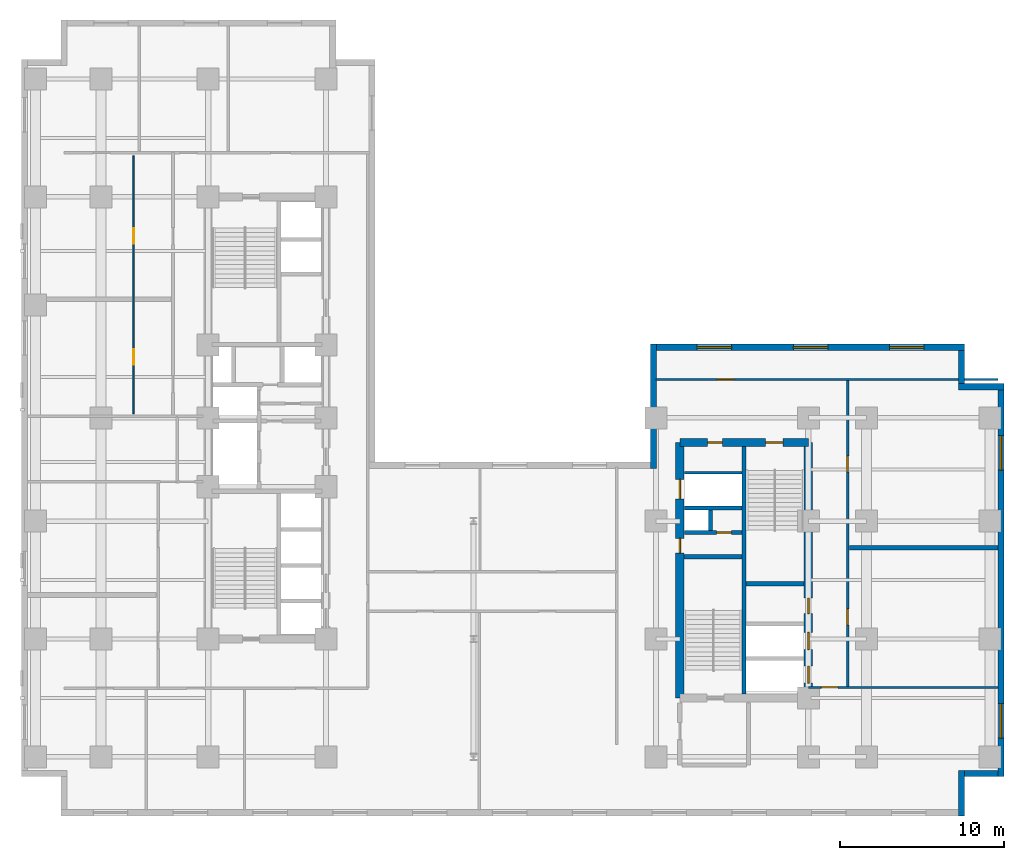
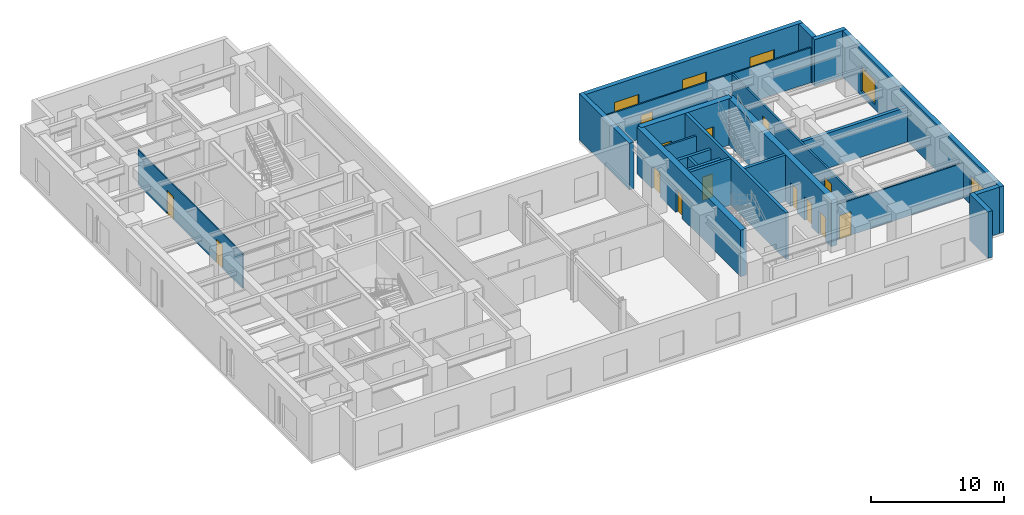
# One storey, part 5 of 9: 22 walls, 14 doors, 5 windows, 19 openings.
"""IFC4 building model written with IfcOpenShell, lengths in metres."""

from ifc_helpers import new_model, entity, si_unit, converted_unit, direction, frame, origin_with_axes, origin_2d_with_axis, place, context, subcontext, project, spatial, polyline, rectangle, outline, extrude, material, layer, layer_set, type_object, element, fill, save


model = new_model("IFC4")

# Units and contexts
model_context = context("Model", 3, precision=1e-05, world=origin_with_axes(), true_north=direction((0.0, 1.0)))
body_context = subcontext(model_context, "Body", "Model", "MODEL_VIEW")
ifc_project = project(units=[si_unit("LENGTHUNIT", "METRE"), si_unit("AREAUNIT", "SQUARE_METRE"), si_unit("VOLUMEUNIT", "CUBIC_METRE"), converted_unit("PLANEANGLEUNIT", "DEGREE", entity("IfcPlaneAngleMeasure", 0.017453292519943295), si_unit("PLANEANGLEUNIT", "RADIAN"), dimensions=[0, 0, 0, 0, 0, 0, 0]), si_unit("MASSUNIT", "GRAM", prefix="KILO"), si_unit("THERMODYNAMICTEMPERATUREUNIT", "KELVIN")], contexts=[model_context])

# Site, building, storey
site_placement = place(None, origin_with_axes())
site = spatial("IfcSite", under=ifc_project, at=site_placement, CompositionType="ELEMENT")
building_placement = place(site_placement, origin_with_axes())
building = spatial("IfcBuilding", under=site, at=building_placement, Name="Varnlund Millrace Tower", CompositionType="ELEMENT")
storey_placement = place(building_placement, frame((0.0, 0.0, 84.6), z_axis=(0.0, 0.0, 1.0), x_axis=(1.0, 0.0, 0.0)))
storey = spatial("IfcBuildingStorey", under=building, at=storey_placement, Name="L20", CompositionType="ELEMENT", Elevation=84.6)

# Wall, openings, doors
ifc_material_1 = material(Name="Concrete C70/85", Category="concrete")
ifc_layer_1 = layer(ifc_material_1, 0.5, Name="Concrete C70/85")
ifc_layer_set_1 = layer_set([ifc_layer_1], Name="Concrete C70/85")
wall_type_1 = type_object("IfcWallType", Name="Type-CoreWall-Shear-500-C70", PredefinedType="SHEAR", material=ifc_layer_set_1)
wall_1_placement = place(storey_placement, frame((40.2, 7.2, 0.0), z_axis=(0.0, 0.0, 1.0), x_axis=(0.0, 1.0, 0.0)))
wall_1 = element("IfcWall", 1, at=wall_1_placement, inside=storey, type_object=wall_type_1, Name="Type-CoreWall-Shear-500-C70", PredefinedType="SHEAR", context=body_context, shape_type="SweptSolid", body=[
    extrude(outline(polyline([(0.0, -0.25), (15.6, -0.25), (15.6, 0.25), (0.0, 0.25), (0.0, -0.25)])), origin_with_axes(), (0.0, 0.0, 1.0), 4.26),
])
opening_1_placement = place(wall_1_placement, frame((12.75, 0.0, 0.0), z_axis=(0.0, 0.0, 1.0), x_axis=(1.0, 0.0, 0.0)))
opening_1 = element("IfcOpeningElement", 2, at=opening_1_placement, cuts=wall_1, Name="Opening L20:LD-SRV2", PredefinedType="OPENING", context=body_context, shape_type="SweptSolid", body=[
    extrude(rectangle(XDim=1.2, YDim=0.52, at=origin_2d_with_axis()), origin_with_axes(), (0.0, 0.0, 1.0), 2.15),
])
opening_2_placement = place(wall_1_placement, frame((9.3, 0.0, 0.0), z_axis=(0.0, 0.0, 1.0), x_axis=(1.0, 0.0, 0.0)))
opening_2 = element("IfcOpeningElement", 3, at=opening_2_placement, cuts=wall_1, Name="Opening L20:DR-CB-JAN", PredefinedType="OPENING", context=body_context, shape_type="SweptSolid", body=[
    extrude(rectangle(XDim=0.9, YDim=0.52, at=origin_2d_with_axis()), origin_with_axes(), (0.0, 0.0, 1.0), 2.15),
])
ifc_material_2 = material(Name="Fire-rated hollow steel service closet door", Category="steel")
door_type_1 = type_object("IfcDoorType", Name="Type-FireDoor-Closet-900X2150", OperationType="NOTDEFINED", PredefinedType="DOOR", material=ifc_material_2)
door_1_placement = place(wall_1_placement, frame((9.3, 0.0, 0.0), z_axis=(0.0, 0.0, 1.0), x_axis=(1.0, 0.0, 0.0)))
door_1 = element("IfcDoor", 4, at=door_1_placement, inside=storey, type_object=door_type_1, Name="Type-FireDoor-Closet-900X2150", OperationType="SINGLE_SWING_RIGHT", OverallHeight=2.15, OverallWidth=0.9, PredefinedType="DOOR", context=body_context, shape_type="SweptSolid", body=[
    extrude(rectangle(XDim=0.9, YDim=0.09, at=origin_2d_with_axis()), origin_with_axes(), (0.0, 0.0, 1.0), 2.15),
])
fill(opening_2, door_1)
ifc_material_3 = material(Name="Heavy-duty freight sliding landing door")
door_type_2 = type_object("IfcDoorType", Name="Type-LiftLandingDoor-Service-1200X2150", OperationType="NOTDEFINED", PredefinedType="DOOR", material=ifc_material_3)
door_2_placement = place(wall_1_placement, frame((12.75, 0.0, 0.0), z_axis=(0.0, 0.0, 1.0), x_axis=(1.0, 0.0, 0.0)))
door_2 = element("IfcDoor", 5, at=door_2_placement, inside=storey, type_object=door_type_2, Name="Type-LiftLandingDoor-Service-1200X2150", OperationType="DOUBLE_DOOR_SLIDING", OverallHeight=2.15, OverallWidth=1.2, PredefinedType="DOOR", context=body_context, shape_type="SweptSolid", body=[
    extrude(rectangle(XDim=1.2, YDim=0.09, at=origin_2d_with_axis()), origin_with_axes(), (0.0, 0.0, 1.0), 2.15),
])
fill(opening_1, door_2)

wall_2_placement = place(storey_placement, frame((40.2, 22.8, 0.0), z_axis=(0.0, 0.0, 1.0), x_axis=(1.0, 0.0, 0.0)))
wall_2 = element("IfcWall", 6, at=wall_2_placement, inside=storey, type_object=wall_type_1, Name="Type-CoreWall-Shear-500-C70", PredefinedType="SHEAR", context=body_context, shape_type="SweptSolid", body=[
    extrude(outline(polyline([(0.0, -0.25), (7.85, -0.25), (7.85, 0.25), (0.0, 0.25), (0.0, -0.25)])), origin_with_axes(), (0.0, 0.0, 1.0), 4.26),
])
opening_3_placement = place(wall_2_placement, frame((5.775, 0.0, 0.0), z_axis=(0.0, 0.0, 1.0), x_axis=(1.0, 0.0, 0.0)))
opening_3 = element("IfcOpeningElement", 7, at=opening_3_placement, cuts=wall_2, Name="Opening L20:DR-STB2", PredefinedType="OPENING", context=body_context, shape_type="SweptSolid", body=[
    extrude(rectangle(XDim=1.05, YDim=0.52, at=origin_2d_with_axis()), origin_with_axes(), (0.0, 0.0, 1.0), 2.15),
])
opening_4_placement = place(wall_2_placement, frame((2.15, 0.0, 0.0), z_axis=(0.0, 0.0, 1.0), x_axis=(1.0, 0.0, 0.0)))
opening_4 = element("IfcOpeningElement", 8, at=opening_4_placement, cuts=wall_2, Name="Opening L20:DR-CB-NW", PredefinedType="OPENING", context=body_context, shape_type="SweptSolid", body=[
    extrude(rectangle(XDim=0.9, YDim=0.52, at=origin_2d_with_axis()), origin_with_axes(), (0.0, 0.0, 1.0), 2.15),
])
door_3_placement = place(wall_2_placement, frame((2.15, 0.0, 0.0), z_axis=(0.0, 0.0, 1.0), x_axis=(1.0, 0.0, 0.0)))
door_3 = element("IfcDoor", 9, at=door_3_placement, inside=storey, type_object=door_type_1, Name="Type-FireDoor-Closet-900X2150", OperationType="SINGLE_SWING_LEFT", OverallHeight=2.15, OverallWidth=0.9, PredefinedType="DOOR", context=body_context, shape_type="SweptSolid", body=[
    extrude(rectangle(XDim=0.9, YDim=0.09, at=origin_2d_with_axis()), origin_with_axes(), (0.0, 0.0, 1.0), 2.15),
])
fill(opening_4, door_3)
ifc_material_4 = material(Name="Fire-rated hollow steel door", Category="steel")
door_type_3 = type_object("IfcDoorType", Name="Type-FireDoor-Stair-1050X2150", OperationType="NOTDEFINED", PredefinedType="DOOR", material=ifc_material_4)
door_4_placement = place(wall_2_placement, frame((5.775, 0.0, 0.0), z_axis=(0.0, 0.0, 1.0), x_axis=(1.0, 0.0, 0.0)))
door_4 = element("IfcDoor", 10, at=door_4_placement, inside=storey, type_object=door_type_3, Name="Type-FireDoor-Stair-1050X2150", OperationType="SINGLE_SWING_RIGHT", OverallHeight=2.15, OverallWidth=1.05, PredefinedType="DOOR", context=body_context, shape_type="SweptSolid", body=[
    extrude(rectangle(XDim=1.05, YDim=0.09, at=origin_2d_with_axis()), origin_with_axes(), (0.0, 0.0, 1.0), 2.15),
])
fill(opening_3, door_4)

wall_3_placement = place(storey_placement, frame((48.05, 7.2, 0.0), z_axis=(0.0, 0.0, 1.0), x_axis=(0.0, 1.0, 0.0)))
wall_3 = element("IfcWall", 11, at=wall_3_placement, inside=storey, type_object=wall_type_1, Name="Type-CoreWall-Shear-500-C70", PredefinedType="SHEAR", context=body_context, shape_type="SweptSolid", body=[
    extrude(outline(polyline([(0.0, -0.25), (15.6, -0.25), (15.6, 0.25), (0.0, 0.25), (0.0, -0.25)])), origin_with_axes(), (0.0, 0.0, 1.0), 4.26),
])
opening_5_placement = place(wall_3_placement, frame((1.425, 0.0, 0.0), z_axis=(0.0, 0.0, 1.0), x_axis=(1.0, 0.0, 0.0)))
opening_5 = element("IfcOpeningElement", 12, at=opening_5_placement, cuts=wall_3, Name="Opening L20:LD-ELV-L3", PredefinedType="OPENING", context=body_context, shape_type="SweptSolid", body=[
    extrude(rectangle(XDim=1.05, YDim=0.52, at=origin_2d_with_axis()), origin_with_axes(), (0.0, 0.0, 1.0), 2.15),
])
opening_6_placement = place(wall_3_placement, frame((3.475, 0.0, 0.0), z_axis=(0.0, 0.0, 1.0), x_axis=(1.0, 0.0, 0.0)))
opening_6 = element("IfcOpeningElement", 13, at=opening_6_placement, cuts=wall_3, Name="Opening L20:LD-ELV-L4", PredefinedType="OPENING", context=body_context, shape_type="SweptSolid", body=[
    extrude(rectangle(XDim=1.05, YDim=0.52, at=origin_2d_with_axis()), origin_with_axes(), (0.0, 0.0, 1.0), 2.15),
])
opening_7_placement = place(wall_3_placement, frame((5.625, 0.0, 0.0), z_axis=(0.0, 0.0, 1.0), x_axis=(1.0, 0.0, 0.0)))
opening_7 = element("IfcOpeningElement", 14, at=opening_7_placement, cuts=wall_3, Name="Opening L20:DR-CB-WC", PredefinedType="OPENING", context=body_context, shape_type="SweptSolid", body=[
    extrude(rectangle(XDim=0.95, YDim=0.52, at=origin_2d_with_axis()), origin_with_axes(), (0.0, 0.0, 1.0), 2.15),
])
ifc_material_5 = material(Name="Fire-rated hollow steel core service door", Category="steel")
door_type_4 = type_object("IfcDoorType", Name="Type-FireDoor-Service-950X2150", OperationType="NOTDEFINED", PredefinedType="DOOR", material=ifc_material_5)
door_5_placement = place(wall_3_placement, frame((5.625, 0.0, 0.0), z_axis=(0.0, 0.0, 1.0), x_axis=(1.0, 0.0, 0.0)))
door_5 = element("IfcDoor", 15, at=door_5_placement, inside=storey, type_object=door_type_4, Name="Type-FireDoor-Service-950X2150", OperationType="SINGLE_SWING_LEFT", OverallHeight=2.15, OverallWidth=0.95, PredefinedType="DOOR", context=body_context, shape_type="SweptSolid", body=[
    extrude(rectangle(XDim=0.95, YDim=0.09, at=origin_2d_with_axis()), origin_with_axes(), (0.0, 0.0, 1.0), 2.15),
])
fill(opening_7, door_5)
ifc_material_6 = material(Name="Architectural bronze sliding landing door")
door_type_5 = type_object("IfcDoorType", Name="Type-LiftLandingDoor-Compact-1050X2150", OperationType="NOTDEFINED", PredefinedType="DOOR", material=ifc_material_6)
door_6_placement = place(wall_3_placement, frame((1.425, 0.0, 0.0), z_axis=(0.0, 0.0, 1.0), x_axis=(1.0, 0.0, 0.0)))
door_6 = element("IfcDoor", 16, at=door_6_placement, inside=storey, type_object=door_type_5, Name="Type-LiftLandingDoor-Compact-1050X2150", OperationType="SLIDING_TO_LEFT", OverallHeight=2.15, OverallWidth=1.05, PredefinedType="DOOR", context=body_context, shape_type="SweptSolid", body=[
    extrude(rectangle(XDim=1.05, YDim=0.09, at=origin_2d_with_axis()), origin_with_axes(), (0.0, 0.0, 1.0), 2.15),
])
fill(opening_5, door_6)
door_7_placement = place(wall_3_placement, frame((3.475, 0.0, 0.0), z_axis=(0.0, 0.0, 1.0), x_axis=(1.0, 0.0, 0.0)))
door_7 = element("IfcDoor", 17, at=door_7_placement, inside=storey, type_object=door_type_5, Name="Type-LiftLandingDoor-Compact-1050X2150", OperationType="SLIDING_TO_RIGHT", OverallHeight=2.15, OverallWidth=1.05, PredefinedType="DOOR", context=body_context, shape_type="SweptSolid", body=[
    extrude(rectangle(XDim=1.05, YDim=0.09, at=origin_2d_with_axis()), origin_with_axes(), (0.0, 0.0, 1.0), 2.15),
])
fill(opening_6, door_7)

# Wall
ifc_material_7 = material(Name="Precast concrete C50/60", Category="concrete")
ifc_layer_2 = layer(ifc_material_7, 0.38, Name="Precast concrete C50/60")
ifc_layer_set_2 = layer_set([ifc_layer_2], Name="Precast concrete C50/60")
wall_type_2 = type_object("IfcWallType", Name="Type-ExtWall-Precast-Tube-380", PredefinedType="SOLIDWALL", material=ifc_layer_set_2)
wall_4_placement = place(storey_placement, frame((38.59, 21.22, 0.0), z_axis=(0.0, 0.0, 1.0), x_axis=(0.0, 1.0, 0.0)))
element("IfcWall", 18, at=wall_4_placement, inside=storey, type_object=wall_type_2, Name="Type-ExtWall-Precast-Tube-380", PredefinedType="SOLIDWALL", context=body_context, shape_type="SweptSolid", body=[
    extrude(outline(polyline([(0.0, -0.19), (7.58, -0.19), (7.58, 0.19), (0.0, 0.19), (0.0, -0.19)])), origin_with_axes(), (0.0, 0.0, 1.0), 4.26),
])

# Wall, openings, windows
wall_5_placement = place(storey_placement, frame((38.78, 28.61, 0.0), z_axis=(0.0, 0.0, 1.0), x_axis=(1.0, 0.0, 0.0)))
wall_5 = element("IfcWall", 19, at=wall_5_placement, inside=storey, type_object=wall_type_2, Name="Type-ExtWall-Precast-Tube-380", PredefinedType="SOLIDWALL", context=body_context, shape_type="SweptSolid", body=[
    extrude(outline(polyline([(0.0, -0.19), (18.82, -0.19), (18.82, 0.19), (0.0, 0.19), (0.0, -0.19)])), origin_with_axes(), (0.0, 0.0, 1.0), 4.26),
])
opening_8_placement = place(wall_5_placement, frame((3.537, 0.0, 0.45), z_axis=(0.0, 0.0, 1.0), x_axis=(1.0, 0.0, 0.0)))
opening_8 = element("IfcOpeningElement", 20, at=opening_8_placement, cuts=wall_5, Name="Opening L20:WN-01", PredefinedType="OPENING", context=body_context, shape_type="SweptSolid", body=[
    extrude(rectangle(XDim=2.1, YDim=0.4, at=origin_2d_with_axis()), origin_with_axes(), (0.0, 0.0, 1.0), 2.2),
])
opening_9_placement = place(wall_5_placement, frame((9.41, 0.0, 0.45), z_axis=(0.0, 0.0, 1.0), x_axis=(1.0, 0.0, 0.0)))
opening_9 = element("IfcOpeningElement", 21, at=opening_9_placement, cuts=wall_5, Name="Opening L20:WN-02", PredefinedType="OPENING", context=body_context, shape_type="SweptSolid", body=[
    extrude(rectangle(XDim=2.1, YDim=0.4, at=origin_2d_with_axis()), origin_with_axes(), (0.0, 0.0, 1.0), 2.2),
])
opening_10_placement = place(wall_5_placement, frame((15.283, 0.0, 0.45), z_axis=(0.0, 0.0, 1.0), x_axis=(1.0, 0.0, 0.0)))
opening_10 = element("IfcOpeningElement", 22, at=opening_10_placement, cuts=wall_5, Name="Opening L20:WN-03", PredefinedType="OPENING", context=body_context, shape_type="SweptSolid", body=[
    extrude(rectangle(XDim=2.1, YDim=0.4, at=origin_2d_with_axis()), origin_with_axes(), (0.0, 0.0, 1.0), 2.2),
])
ifc_material_8 = material(Name="Argon low-e triple glazing in thermally broken bronze frame", Category="glass")
window_type = type_object("IfcWindowType", Name="Type-Window-Punched-2100X2200", PartitioningType="SINGLE_PANEL", PredefinedType="WINDOW", material=ifc_material_8)
window_1_placement = place(wall_5_placement, frame((3.537, 0.0, 0.45), z_axis=(0.0, 0.0, 1.0), x_axis=(1.0, 0.0, 0.0)))
window_1 = element("IfcWindow", 23, at=window_1_placement, inside=storey, type_object=window_type, Name="Type-Window-Punched-2100X2200", OverallHeight=2.2, OverallWidth=2.1, PredefinedType="WINDOW", context=body_context, shape_type="SweptSolid", body=[
    extrude(rectangle(XDim=2.1, YDim=0.09, at=origin_2d_with_axis()), origin_with_axes(), (0.0, 0.0, 1.0), 2.2),
])
fill(opening_8, window_1)
window_2_placement = place(wall_5_placement, frame((9.41, 0.0, 0.45), z_axis=(0.0, 0.0, 1.0), x_axis=(1.0, 0.0, 0.0)))
window_2 = element("IfcWindow", 24, at=window_2_placement, inside=storey, type_object=window_type, Name="Type-Window-Punched-2100X2200", OverallHeight=2.2, OverallWidth=2.1, PredefinedType="WINDOW", context=body_context, shape_type="SweptSolid", body=[
    extrude(rectangle(XDim=2.1, YDim=0.09, at=origin_2d_with_axis()), origin_with_axes(), (0.0, 0.0, 1.0), 2.2),
])
fill(opening_9, window_2)
window_3_placement = place(wall_5_placement, frame((15.283, 0.0, 0.45), z_axis=(0.0, 0.0, 1.0), x_axis=(1.0, 0.0, 0.0)))
window_3 = element("IfcWindow", 25, at=window_3_placement, inside=storey, type_object=window_type, Name="Type-Window-Punched-2100X2200", OverallHeight=2.2, OverallWidth=2.1, PredefinedType="WINDOW", context=body_context, shape_type="SweptSolid", body=[
    extrude(rectangle(XDim=2.1, YDim=0.09, at=origin_2d_with_axis()), origin_with_axes(), (0.0, 0.0, 1.0), 2.2),
])
fill(opening_10, window_3)

# Walls
wall_6_placement = place(storey_placement, frame((57.41, 28.42, 0.0), z_axis=(0.0, 0.0, 1.0), x_axis=(0.0, -1.0, 0.0)))
element("IfcWall", 26, at=wall_6_placement, inside=storey, type_object=wall_type_2, Name="Type-ExtWall-Precast-Tube-380", PredefinedType="SOLIDWALL", context=body_context, shape_type="SweptSolid", body=[
    extrude(outline(polyline([(0.0, -0.19), (2.02, -0.19), (2.02, 0.19), (0.0, 0.19), (0.0, -0.19)])), origin_with_axes(), (0.0, 0.0, 1.0), 4.26),
])
wall_7_placement = place(storey_placement, frame((57.22, 26.21, 0.0), z_axis=(0.0, 0.0, 1.0), x_axis=(1.0, 0.0, 0.0)))
element("IfcWall", 27, at=wall_7_placement, inside=storey, type_object=wall_type_2, Name="Type-ExtWall-Precast-Tube-380", PredefinedType="SOLIDWALL", context=body_context, shape_type="SweptSolid", body=[
    extrude(outline(polyline([(0.0, -0.19), (2.78, -0.19), (2.78, 0.19), (0.0, 0.19), (0.0, -0.19)])), origin_with_axes(), (0.0, 0.0, 1.0), 4.26),
])

# Wall, openings, windows
wall_8_placement = place(storey_placement, frame((59.81, 26.02, 0.0), z_axis=(0.0, 0.0, 1.0), x_axis=(0.0, -1.0, 0.0)))
wall_8 = element("IfcWall", 28, at=wall_8_placement, inside=storey, type_object=wall_type_2, Name="Type-ExtWall-Precast-Tube-380", PredefinedType="SOLIDWALL", context=body_context, shape_type="SweptSolid", body=[
    extrude(outline(polyline([(0.0, -0.19), (23.62, -0.19), (23.62, 0.19), (0.0, 0.19), (0.0, -0.19)])), origin_with_axes(), (0.0, 0.0, 1.0), 4.26),
])
opening_11_placement = place(wall_8_placement, frame((3.853, 0.0, 0.45), z_axis=(0.0, 0.0, 1.0), x_axis=(1.0, 0.0, 0.0)))
opening_11 = element("IfcOpeningElement", 29, at=opening_11_placement, cuts=wall_8, Name="Opening L20:WN-04", PredefinedType="OPENING", context=body_context, shape_type="SweptSolid", body=[
    extrude(rectangle(XDim=2.1, YDim=0.4, at=origin_2d_with_axis()), origin_with_axes(), (0.0, 0.0, 1.0), 2.2),
])
opening_12_placement = place(wall_8_placement, frame((20.218, 0.0, 0.45), z_axis=(0.0, 0.0, 1.0), x_axis=(1.0, 0.0, 0.0)))
opening_12 = element("IfcOpeningElement", 30, at=opening_12_placement, cuts=wall_8, Name="Opening L20:WN-05", PredefinedType="OPENING", context=body_context, shape_type="SweptSolid", body=[
    extrude(rectangle(XDim=2.1, YDim=0.4, at=origin_2d_with_axis()), origin_with_axes(), (0.0, 0.0, 1.0), 2.2),
])
window_4_placement = place(wall_8_placement, frame((3.853, 0.0, 0.45), z_axis=(0.0, 0.0, 1.0), x_axis=(1.0, 0.0, 0.0)))
window_4 = element("IfcWindow", 31, at=window_4_placement, inside=storey, type_object=window_type, Name="Type-Window-Punched-2100X2200", OverallHeight=2.2, OverallWidth=2.1, PredefinedType="WINDOW", context=body_context, shape_type="SweptSolid", body=[
    extrude(rectangle(XDim=2.1, YDim=0.09, at=origin_2d_with_axis()), origin_with_axes(), (0.0, 0.0, 1.0), 2.2),
])
fill(opening_11, window_4)
window_5_placement = place(wall_8_placement, frame((20.218, 0.0, 0.45), z_axis=(0.0, 0.0, 1.0), x_axis=(1.0, 0.0, 0.0)))
window_5 = element("IfcWindow", 32, at=window_5_placement, inside=storey, type_object=window_type, Name="Type-Window-Punched-2100X2200", OverallHeight=2.2, OverallWidth=2.1, PredefinedType="WINDOW", context=body_context, shape_type="SweptSolid", body=[
    extrude(rectangle(XDim=2.1, YDim=0.09, at=origin_2d_with_axis()), origin_with_axes(), (0.0, 0.0, 1.0), 2.2),
])
fill(opening_12, window_5)

# Walls
wall_9_placement = place(storey_placement, frame((59.62, 2.59, 0.0), z_axis=(0.0, 0.0, 1.0), x_axis=(-1.0, 0.0, 0.0)))
element("IfcWall", 33, at=wall_9_placement, inside=storey, type_object=wall_type_2, Name="Type-ExtWall-Precast-Tube-380", PredefinedType="SOLIDWALL", context=body_context, shape_type="SweptSolid", body=[
    extrude(outline(polyline([(0.0, -0.19), (2.02, -0.19), (2.02, 0.19), (0.0, 0.19), (0.0, -0.19)])), origin_with_axes(), (0.0, 0.0, 1.0), 4.26),
])
wall_10_placement = place(storey_placement, frame((57.41, 2.78, 0.0), z_axis=(0.0, 0.0, 1.0), x_axis=(0.0, -1.0, 0.0)))
element("IfcWall", 34, at=wall_10_placement, inside=storey, type_object=wall_type_2, Name="Type-ExtWall-Precast-Tube-380", PredefinedType="SOLIDWALL", context=body_context, shape_type="SweptSolid", body=[
    extrude(outline(polyline([(0.0, -0.19), (2.78, -0.19), (2.78, 0.19), (0.0, 0.19), (0.0, -0.19)])), origin_with_axes(), (0.0, 0.0, 1.0), 4.26),
])
ifc_material_9 = material(Name="Double-stud STC-60 conference acoustic partition", Category="gypsum")
ifc_layer_3 = layer(ifc_material_9, 0.28, Name="Double-stud STC-60 conference acoustic partition")
ifc_layer_set_3 = layer_set([ifc_layer_3], Name="Double-stud STC-60 conference acoustic partition")
wall_type_3 = type_object("IfcWallType", Name="Type-Partition-Acoustic-280", PredefinedType="PARTITIONING", material=ifc_layer_set_3)
wall_11_placement = place(storey_placement, frame((50.57, 16.377, 0.0), z_axis=(0.0, 0.0, 1.0), x_axis=(1.0, 0.0, 0.0)))
element("IfcWall", 35, at=wall_11_placement, inside=storey, type_object=wall_type_3, Name="Type-Partition-Acoustic-280", PredefinedType="PARTITIONING", context=body_context, shape_type="SweptSolid", body=[
    extrude(outline(polyline([(0.0, -0.14), (9.055, -0.14), (9.055, 0.14), (0.0, 0.14), (0.0, -0.14)])), origin_with_axes(), (0.0, 0.0, 1.0), 3.2),
])
ifc_material_10 = material(Name="Fire-rated gypsum board on cold-formed steel framing", Category="steel")
ifc_layer_4 = layer(ifc_material_10, 0.16, Name="Fire-rated gypsum board on cold-formed steel framing")
ifc_layer_set_4 = layer_set([ifc_layer_4], Name="Fire-rated gypsum board on cold-formed steel framing")
wall_type_4 = type_object("IfcWallType", Name="Type-Partition-Corridor-160", PredefinedType="PARTITIONING", material=ifc_layer_set_4)
wall_12_placement = place(storey_placement, frame((40.5, 20.96, 0.0), z_axis=(0.0, 0.0, 1.0), x_axis=(1.0, 0.0, 0.0)))
element("IfcWall", 36, at=wall_12_placement, inside=storey, type_object=wall_type_4, Name="Type-Partition-Corridor-160", PredefinedType="PARTITIONING", context=body_context, shape_type="SweptSolid", body=[
    extrude(outline(polyline([(0.0, -0.08), (3.5, -0.08), (3.5, 0.08), (0.0, 0.08), (0.0, -0.08)])), origin_with_axes(), (0.0, 0.0, 1.0), 3.2),
])

# Wall, openings, doors
wall_13_placement = place(storey_placement, frame((50.45, 7.85, 0.0), z_axis=(0.0, 0.0, 1.0), x_axis=(0.0, 1.0, 0.0)))
wall_13 = element("IfcWall", 37, at=wall_13_placement, inside=storey, type_object=wall_type_4, Name="Type-Partition-Corridor-160", PredefinedType="PARTITIONING", context=body_context, shape_type="SweptSolid", body=[
    extrude(outline(polyline([(0.0, -0.08), (18.8, -0.08), (18.8, 0.08), (0.0, 0.08), (0.0, -0.08)])), origin_with_axes(), (0.0, 0.0, 1.0), 3.2),
])
opening_13_placement = place(wall_13_placement, frame((4.2935, 0.0, 0.0), z_axis=(0.0, 0.0, 1.0), x_axis=(1.0, 0.0, 0.0)))
opening_13 = element("IfcOpeningElement", 38, at=opening_13_placement, cuts=wall_13, Name="Opening L20:DR-WB-01", PredefinedType="OPENING", context=body_context, shape_type="SweptSolid", body=[
    extrude(rectangle(XDim=1.0, YDim=0.18, at=origin_2d_with_axis()), origin_with_axes(), (0.0, 0.0, 1.0), 2.15),
])
opening_14_placement = place(wall_13_placement, frame((13.6335, 0.0, 0.0), z_axis=(0.0, 0.0, 1.0), x_axis=(1.0, 0.0, 0.0)))
opening_14 = element("IfcOpeningElement", 39, at=opening_14_placement, cuts=wall_13, Name="Opening L20:DR-WB-02", PredefinedType="OPENING", context=body_context, shape_type="SweptSolid", body=[
    extrude(rectangle(XDim=1.0, YDim=0.18, at=origin_2d_with_axis()), origin_with_axes(), (0.0, 0.0, 1.0), 2.15),
])
ifc_material_11 = material(Name="Solid-core white oak and bronze frame door")
door_type_6 = type_object("IfcDoorType", Name="Type-IntDoor-Office-1000X2150", OperationType="NOTDEFINED", PredefinedType="DOOR", material=ifc_material_11)
door_8_placement = place(wall_13_placement, frame((4.2935, 0.0, 0.0), z_axis=(0.0, 0.0, 1.0), x_axis=(1.0, 0.0, 0.0)))
door_8 = element("IfcDoor", 40, at=door_8_placement, inside=storey, type_object=door_type_6, Name="Type-IntDoor-Office-1000X2150", OperationType="SINGLE_SWING_LEFT", OverallHeight=2.15, OverallWidth=1.0, PredefinedType="DOOR", context=body_context, shape_type="SweptSolid", body=[
    extrude(rectangle(XDim=1.0, YDim=0.09, at=origin_2d_with_axis()), origin_with_axes(), (0.0, 0.0, 1.0), 2.15),
])
fill(opening_13, door_8)
door_9_placement = place(wall_13_placement, frame((13.6335, 0.0, 0.0), z_axis=(0.0, 0.0, 1.0), x_axis=(1.0, 0.0, 0.0)))
door_9 = element("IfcDoor", 41, at=door_9_placement, inside=storey, type_object=door_type_6, Name="Type-IntDoor-Office-1000X2150", OperationType="SINGLE_SWING_RIGHT", OverallHeight=2.15, OverallWidth=1.0, PredefinedType="DOOR", context=body_context, shape_type="SweptSolid", body=[
    extrude(rectangle(XDim=1.0, YDim=0.09, at=origin_2d_with_axis()), origin_with_axes(), (0.0, 0.0, 1.0), 2.15),
])
fill(opening_14, door_9)

ifc_material_12 = material(Name="Architectural bronze and acoustic glass office front", Category="glass")
ifc_layer_5 = layer(ifc_material_12, 0.1, Name="Architectural bronze and acoustic glass office front")
ifc_layer_set_5 = layer_set([ifc_layer_5], Name="Architectural bronze and acoustic glass office front")
wall_type_5 = type_object("IfcWallType", Name="Type-Partition-Glazed-100", PredefinedType="PARTITIONING", material=ifc_layer_set_5)
wall_14_placement = place(storey_placement, frame((6.85, 24.55, 0.0), z_axis=(0.0, 0.0, 1.0), x_axis=(0.0, 1.0, 0.0)))
wall_14 = element("IfcWall", 42, at=wall_14_placement, inside=storey, type_object=wall_type_5, Name="Type-Partition-Glazed-100", PredefinedType="PARTITIONING", context=body_context, shape_type="SweptSolid", body=[
    extrude(outline(polyline([(0.0, -0.05), (15.75, -0.05), (15.75, 0.05), (0.0, 0.05), (0.0, -0.05)])), origin_with_axes(), (0.0, 0.0, 1.0), 3.2),
])
opening_15_placement = place(wall_14_placement, frame((3.466, 0.0, 0.0), z_axis=(0.0, 0.0, 1.0), x_axis=(1.0, 0.0, 0.0)))
opening_15 = element("IfcOpeningElement", 43, at=opening_15_placement, cuts=wall_14, Name="Opening L20:DR-WN-S01", PredefinedType="OPENING", context=body_context, shape_type="SweptSolid", body=[
    extrude(rectangle(XDim=0.95, YDim=0.12, at=origin_2d_with_axis()), origin_with_axes(), (0.0, 0.0, 1.0), 2.15),
])
opening_16_placement = place(wall_14_placement, frame((10.851, 0.0, 0.0), z_axis=(0.0, 0.0, 1.0), x_axis=(1.0, 0.0, 0.0)))
opening_16 = element("IfcOpeningElement", 44, at=opening_16_placement, cuts=wall_14, Name="Opening L20:DR-WN-S02", PredefinedType="OPENING", context=body_context, shape_type="SweptSolid", body=[
    extrude(rectangle(XDim=0.95, YDim=0.12, at=origin_2d_with_axis()), origin_with_axes(), (0.0, 0.0, 1.0), 2.15),
])
ifc_material_13 = material(Name="Solid-core acoustic office door")
door_type_7 = type_object("IfcDoorType", Name="Type-IntDoor-Tenant-950X2150", OperationType="NOTDEFINED", PredefinedType="DOOR", material=ifc_material_13)
door_10_placement = place(wall_14_placement, frame((3.466, 0.0, 0.0), z_axis=(0.0, 0.0, 1.0), x_axis=(1.0, 0.0, 0.0)))
door_10 = element("IfcDoor", 45, at=door_10_placement, inside=storey, type_object=door_type_7, Name="Type-IntDoor-Tenant-950X2150", OperationType="SINGLE_SWING_LEFT", OverallHeight=2.15, OverallWidth=0.95, PredefinedType="DOOR", context=body_context, shape_type="SweptSolid", body=[
    extrude(rectangle(XDim=0.95, YDim=0.06, at=origin_2d_with_axis()), origin_with_axes(), (0.0, 0.0, 1.0), 2.15),
])
fill(opening_15, door_10)
door_11_placement = place(wall_14_placement, frame((10.851, 0.0, 0.0), z_axis=(0.0, 0.0, 1.0), x_axis=(1.0, 0.0, 0.0)))
door_11 = element("IfcDoor", 46, at=door_11_placement, inside=storey, type_object=door_type_7, Name="Type-IntDoor-Tenant-950X2150", OperationType="SINGLE_SWING_LEFT", OverallHeight=2.15, OverallWidth=0.95, PredefinedType="DOOR", context=body_context, shape_type="SweptSolid", body=[
    extrude(rectangle(XDim=0.95, YDim=0.06, at=origin_2d_with_axis()), origin_with_axes(), (0.0, 0.0, 1.0), 2.15),
])
fill(opening_16, door_11)

# Wall, opening, door
ifc_material_14 = material(Name="Gypsum board tenant partition", Category="gypsum")
ifc_layer_6 = layer(ifc_material_14, 0.125, Name="Gypsum board tenant partition")
ifc_layer_set_6 = layer_set([ifc_layer_6], Name="Gypsum board tenant partition")
wall_type_6 = type_object("IfcWallType", Name="Type-Partition-Tenant-125", PredefinedType="PARTITIONING", material=ifc_layer_set_6)
wall_15_placement = place(storey_placement, frame((59.64, 7.85, 0.0), z_axis=(0.0, 0.0, 1.0), x_axis=(-1.0, 0.0, 0.0)))
wall_15 = element("IfcWall", 47, at=wall_15_placement, inside=storey, type_object=wall_type_6, Name="Type-Partition-Tenant-125", PredefinedType="PARTITIONING", context=body_context, shape_type="SweptSolid", body=[
    extrude(outline(polyline([(0.0, -0.0625), (11.59, -0.0625), (11.59, 0.0625), (0.0, 0.0625), (0.0, -0.0625)])), origin_with_axes(), (0.0, 0.0, 1.0), 3.2),
])
opening_17_placement = place(wall_15_placement, frame((10.29, 0.0, 0.0), z_axis=(0.0, 0.0, 1.0), x_axis=(1.0, 0.0, 0.0)))
opening_17 = element("IfcOpeningElement", 48, at=opening_17_placement, cuts=wall_15, Name="Opening L20:DR-WBS-01", PredefinedType="OPENING", context=body_context, shape_type="SweptSolid", body=[
    extrude(rectangle(XDim=1.0, YDim=0.145, at=origin_2d_with_axis()), origin_with_axes(), (0.0, 0.0, 1.0), 2.15),
])
door_12_placement = place(wall_15_placement, frame((10.29, 0.0, 0.0), z_axis=(0.0, 0.0, 1.0), x_axis=(1.0, 0.0, 0.0)))
door_12 = element("IfcDoor", 49, at=door_12_placement, inside=storey, type_object=door_type_6, Name="Type-IntDoor-Office-1000X2150", OperationType="SINGLE_SWING_LEFT", OverallHeight=2.15, OverallWidth=1.0, PredefinedType="DOOR", context=body_context, shape_type="SweptSolid", body=[
    extrude(rectangle(XDim=1.0, YDim=0.075, at=origin_2d_with_axis()), origin_with_axes(), (0.0, 0.0, 1.0), 2.15),
])
fill(opening_17, door_12)

wall_16_placement = place(storey_placement, frame((38.76, 26.65, 0.0), z_axis=(0.0, 0.0, 1.0), x_axis=(1.0, 0.0, 0.0)))
wall_16 = element("IfcWall", 50, at=wall_16_placement, inside=storey, type_object=wall_type_6, Name="Type-Partition-Tenant-125", PredefinedType="PARTITIONING", context=body_context, shape_type="SweptSolid", body=[
    extrude(outline(polyline([(0.0, -0.0625), (20.88, -0.0625), (20.88, 0.0625), (0.0, 0.0625), (0.0, -0.0625)])), origin_with_axes(), (0.0, 0.0, 1.0), 3.2),
])
opening_18_placement = place(wall_16_placement, frame((4.24, 0.0, 0.0), z_axis=(0.0, 0.0, 1.0), x_axis=(1.0, 0.0, 0.0)))
opening_18 = element("IfcOpeningElement", 51, at=opening_18_placement, cuts=wall_16, Name="Opening L20:DR-WBN-01", PredefinedType="OPENING", context=body_context, shape_type="SweptSolid", body=[
    extrude(rectangle(XDim=1.0, YDim=0.145, at=origin_2d_with_axis()), origin_with_axes(), (0.0, 0.0, 1.0), 2.15),
])
door_13_placement = place(wall_16_placement, frame((4.24, 0.0, 0.0), z_axis=(0.0, 0.0, 1.0), x_axis=(1.0, 0.0, 0.0)))
door_13 = element("IfcDoor", 52, at=door_13_placement, inside=storey, type_object=door_type_6, Name="Type-IntDoor-Office-1000X2150", OperationType="SINGLE_SWING_RIGHT", OverallHeight=2.15, OverallWidth=1.0, PredefinedType="DOOR", context=body_context, shape_type="SweptSolid", body=[
    extrude(rectangle(XDim=1.0, YDim=0.075, at=origin_2d_with_axis()), origin_with_axes(), (0.0, 0.0, 1.0), 2.15),
])
fill(opening_18, door_13)

ifc_material_15 = material(Name="Concrete C60/75", Category="concrete")
ifc_layer_7 = layer(ifc_material_15, 0.25, Name="Concrete C60/75")
ifc_layer_set_7 = layer_set([ifc_layer_7], Name="Concrete C60/75")
wall_type_7 = type_object("IfcWallType", Name="Type-ShaftWall-Fire-250", PredefinedType="SOLIDWALL", material=ifc_layer_set_7)
wall_17_placement = place(storey_placement, frame((40.5, 17.3, 0.0), z_axis=(0.0, 0.0, 1.0), x_axis=(1.0, 0.0, 0.0)))
wall_17 = element("IfcWall", 53, at=wall_17_placement, inside=storey, type_object=wall_type_7, Name="Type-ShaftWall-Fire-250", PredefinedType="SOLIDWALL", context=body_context, shape_type="SweptSolid", body=[
    extrude(outline(polyline([(0.0, -0.125), (3.5, -0.125), (3.5, 0.125), (0.0, 0.125), (0.0, -0.125)])), origin_with_axes(), (0.0, 0.0, 1.0), 3.3),
])
opening_19_placement = place(wall_17_placement, frame((2.4, 0.0, 0.0), z_axis=(0.0, 0.0, 1.0), x_axis=(1.0, 0.0, 0.0)))
opening_19 = element("IfcOpeningElement", 54, at=opening_19_placement, cuts=wall_17, Name="Opening L20:DR-CB-ELC", PredefinedType="OPENING", context=body_context, shape_type="SweptSolid", body=[
    extrude(rectangle(XDim=0.9, YDim=0.27, at=origin_2d_with_axis()), origin_with_axes(), (0.0, 0.0, 1.0), 2.15),
])
door_14_placement = place(wall_17_placement, frame((2.4, 0.0, 0.0), z_axis=(0.0, 0.0, 1.0), x_axis=(1.0, 0.0, 0.0)))
door_14 = element("IfcDoor", 55, at=door_14_placement, inside=storey, type_object=door_type_1, Name="Type-FireDoor-Closet-900X2150", OperationType="SINGLE_SWING_LEFT", OverallHeight=2.15, OverallWidth=0.9, PredefinedType="DOOR", context=body_context, shape_type="SweptSolid", body=[
    extrude(rectangle(XDim=0.9, YDim=0.09, at=origin_2d_with_axis()), origin_with_axes(), (0.0, 0.0, 1.0), 2.15),
])
fill(opening_19, door_14)

# Walls
wall_18_placement = place(storey_placement, frame((40.5, 18.8, 0.0), z_axis=(0.0, 0.0, 1.0), x_axis=(1.0, 0.0, 0.0)))
element("IfcWall", 56, at=wall_18_placement, inside=storey, type_object=wall_type_7, Name="Type-ShaftWall-Fire-250", PredefinedType="SOLIDWALL", context=body_context, shape_type="SweptSolid", body=[
    extrude(outline(polyline([(0.0, -0.125), (3.5, -0.125), (3.5, 0.125), (0.0, 0.125), (0.0, -0.125)])), origin_with_axes(), (0.0, 0.0, 1.0), 3.3),
])
wall_19_placement = place(storey_placement, frame((42.075, 17.43, 0.0), z_axis=(0.0, 0.0, 1.0), x_axis=(0.0, 1.0, 0.0)))
element("IfcWall", 57, at=wall_19_placement, inside=storey, type_object=wall_type_7, Name="Type-ShaftWall-Fire-250", PredefinedType="SOLIDWALL", context=body_context, shape_type="SweptSolid", body=[
    extrude(outline(polyline([(0.0, -0.125), (1.24, -0.125), (1.24, 0.125), (0.0, 0.125), (0.0, -0.125)])), origin_with_axes(), (0.0, 0.0, 1.0), 3.3),
])
wall_type_8 = type_object("IfcWallType", Name="Type-StairWall-Shear-250", PredefinedType="SHEAR", material=ifc_layer_set_7)
wall_20_placement = place(storey_placement, frame((44.125, 7.45, 0.0), z_axis=(0.0, 0.0, 1.0), x_axis=(0.0, 1.0, 0.0)))
element("IfcWall", 58, at=wall_20_placement, inside=storey, type_object=wall_type_8, Name="Type-StairWall-Shear-250", PredefinedType="SHEAR", context=body_context, shape_type="SweptSolid", body=[
    extrude(outline(polyline([(0.0, -0.125), (15.1, -0.125), (15.1, 0.125), (0.0, 0.125), (0.0, -0.125)])), origin_with_axes(), (0.0, 0.0, 1.0), 4.26),
])
for number, where, z_axis, x_axis, name in (
    (59, (40.45, 15.825, 0.0), (0.0, 0.0, 1.0), (1.0, 0.0, 0.0), "Type-StairWall-Shear-250"),
    (60, (44.25, 14.175, 0.0), (0.0, 0.0, 1.0), (1.0, 0.0, 0.0), "Type-StairWall-Shear-250"),
):
    element("IfcWall", number, at=place(storey_placement, frame(where, z_axis=z_axis, x_axis=x_axis)), inside=storey, type_object=wall_type_8, Name=name, PredefinedType="SHEAR", context=body_context, shape_type="SweptSolid", body=[
        extrude(outline(polyline([(0.0, -0.125), (3.55, -0.125), (3.55, 0.125), (0.0, 0.125), (0.0, -0.125)])), origin_with_axes(), (0.0, 0.0, 1.0), 4.26),
    ])

save(model, "model.ifc")
